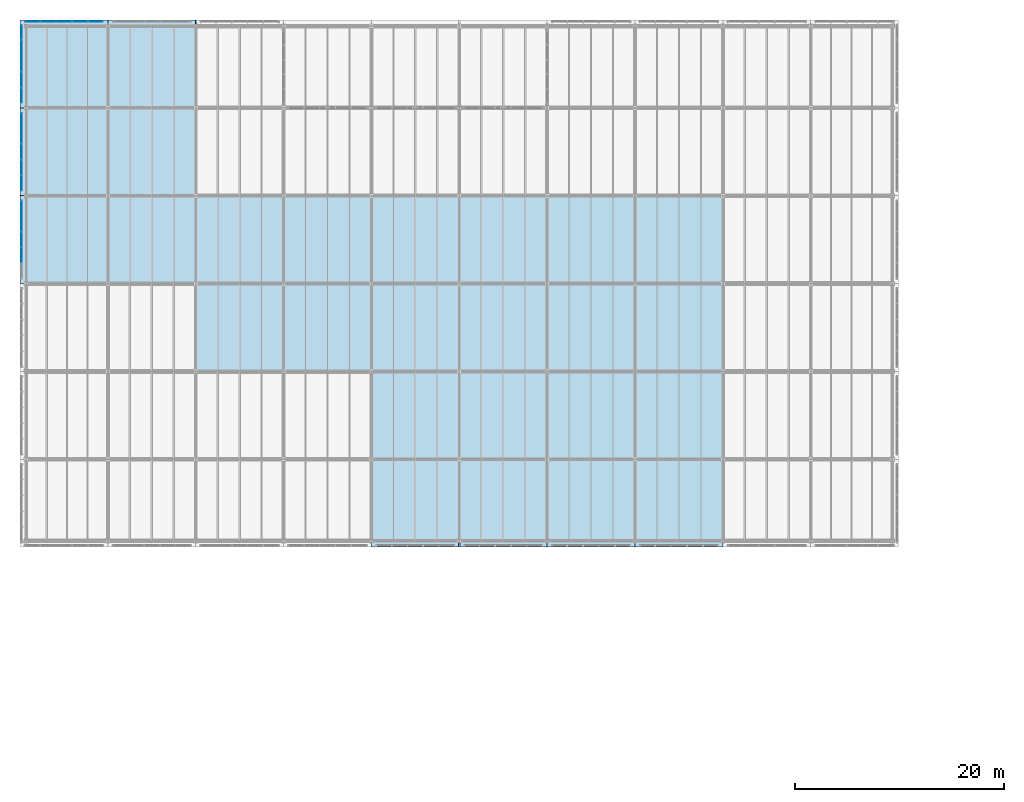
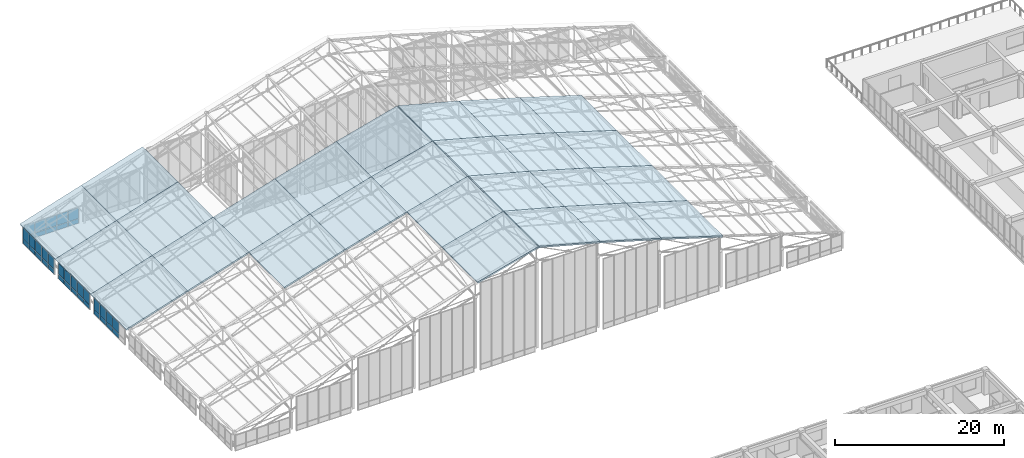
# One storey, part 108 of 144: 38 plates, 26 slabs, 4 elements without a shape of their own.
"""IFC4 building model written with IfcOpenShell, lengths in metres."""

import ifcopenshell
import ifcopenshell.guid

model = None  # the IFC model being written
_history = None  # IfcOwnerHistory: only IFC2X3 demands one
_inside = {}  # id of a spatial element -> (the spatial element, [elements in it])
_under = {}  # id of a project, library or spatial element -> (it, [spatial elements below it])
_declared = {}  # id of a project -> (the project, [libraries it declares])
_typed = {}  # id of a type object -> (the type object, [elements of that type])
_made_of = {}  # id of a material, layer set ... -> (it, [elements and type objects made of it])


def new_model(schema):
    """Start an empty IFC model of exactly this schema.

    Asked for "IFC4X3", IfcOpenShell would pick the latest addendum, in which some entities
    have other attributes; the version numbers below select the first issue.
    IFC2X3 requires an IfcOwnerHistory on every rooted entity: one is made here for all.
    """
    global model, _history
    if schema == "IFC4X3":
        model = ifcopenshell.file(schema_version=(4, 3, 0, 0))
    else:
        model = ifcopenshell.file(schema=schema)
    _inside.clear()
    _under.clear()
    _declared.clear()
    _typed.clear()
    _made_of.clear()
    _history = None
    if model.schema == "IFC2X3":
        org = make("IfcOrganization", Name="unknown")
        user = make(
            "IfcPersonAndOrganization",
            ThePerson=make("IfcPerson", FamilyName="unknown"),
            TheOrganization=org,
        )
        app = make(
            "IfcApplication",
            ApplicationDeveloper=org,
            Version="unknown",
            ApplicationFullName="unknown",
            ApplicationIdentifier="unknown",
        )
        _history = make(
            "IfcOwnerHistory",
            OwningUser=user,
            OwningApplication=app,
            ChangeAction="ADDED",
            CreationDate=0,
        )
    return model


def make(cls, **values):
    """One entity of the class cls with the attributes given. An attribute that is None is left unset."""
    return model.create_entity(
        cls, **{name: value for name, value in values.items() if value is not None}
    )


def rooted(cls, **values):
    """An entity with a GlobalId (a new one), such as an element, a storey or a relation."""
    return make(cls, GlobalId=ifcopenshell.guid.new(), OwnerHistory=_history, **values)


def si_unit(unit_type, name, prefix=None):
    """IfcSIUnit, for example si_unit("LENGTHUNIT", "METRE", prefix="MILLI")."""
    return make("IfcSIUnit", UnitType=unit_type, Prefix=prefix, Name=name)


def assignment(units):
    """IfcUnitAssignment: the units of a project."""
    return None if units is None else make("IfcUnitAssignment", Units=units)


def point(xyz):
    """IfcCartesianPoint."""
    return None if xyz is None else make("IfcCartesianPoint", Coordinates=xyz)


def direction(xyz):
    """IfcDirection."""
    return None if xyz is None else make("IfcDirection", DirectionRatios=xyz)


def frame(location, z_axis=None, x_axis=None):
    """IfcAxis2Placement3D, a coordinate frame: its origin and axes. An axis left out is left unset."""
    return make(
        "IfcAxis2Placement3D",
        Location=point(location),
        Axis=direction(z_axis),
        RefDirection=direction(x_axis),
    )


def frame_2d(location, x_axis=None):
    """IfcAxis2Placement2D, a coordinate frame in the plane: its origin and x axis."""
    return make(
        "IfcAxis2Placement2D", Location=point(location), RefDirection=direction(x_axis)
    )


def origin():
    """The frame at (0, 0, 0) with its axes left unset."""
    return frame((0.0, 0.0, 0.0))


def origin_2d():
    """The frame at (0, 0) in the plane with its x axis left unset."""
    return frame_2d((0.0, 0.0))


def place(relative_to, where):
    """IfcLocalPlacement: puts the frame where relative to a parent placement (None: the world)."""
    return make(
        "IfcLocalPlacement", PlacementRelTo=relative_to, RelativePlacement=where
    )


def context(
    kind, dimensions, precision=None, world=None, true_north=None, identifier=None
):
    """IfcGeometricRepresentationContext, for example the 3D "Model" context."""
    return make(
        "IfcGeometricRepresentationContext",
        ContextIdentifier=identifier,
        ContextType=kind,
        CoordinateSpaceDimension=dimensions,
        Precision=precision,
        WorldCoordinateSystem=world,
        TrueNorth=true_north,
    )


def subcontext(parent, identifier, kind, view, scale=None):
    """IfcGeometricRepresentationSubContext, for example "Body" below "Model"."""
    return make(
        "IfcGeometricRepresentationSubContext",
        ContextIdentifier=identifier,
        ContextType=kind,
        ParentContext=parent,
        TargetScale=scale,
        TargetView=view,
    )


def project(units=None, contexts=None):
    """IfcProject with its units and contexts."""
    return rooted(
        "IfcProject",
        Name="project",
        RepresentationContexts=contexts,
        UnitsInContext=assignment(units),
    )


def spatial(cls, under=None, at=None, **own):
    """A site, building, storey or space (cls), placed at a placement, below another one or the project."""
    s = rooted(cls, ObjectPlacement=at, **own)
    if under is not None:
        _under.setdefault(under.id(), (under, []))[1].append(s)
    return s


def polyline(points):
    """IfcPolyline through the points."""
    return make("IfcPolyline", Points=[point(p) for p in points])


def profile(cls, at=None, kind="AREA", **sizes):
    """A parametric profile (cls). Its sizes go by their IFC names, for example OverallWidth=200.0."""
    return make(cls, ProfileType=kind, Position=at, **sizes)


def rectangle(**sizes):
    """IfcRectangleProfileDef."""
    return profile("IfcRectangleProfileDef", **sizes)


def outline(outer, holes=None, kind="AREA"):
    """IfcArbitraryClosedProfileDef: a profile drawn as a closed curve; with holes, ...WithVoids."""
    if holes is None:
        return make("IfcArbitraryClosedProfileDef", ProfileType=kind, OuterCurve=outer)
    return make(
        "IfcArbitraryProfileDefWithVoids",
        ProfileType=kind,
        OuterCurve=outer,
        InnerCurves=holes,
    )


def extrude(swept, where, along, depth):
    """IfcExtrudedAreaSolid: the profile swept, set in the frame where, extruded along a direction by depth."""
    return make(
        "IfcExtrudedAreaSolid",
        SweptArea=swept,
        Position=where,
        ExtrudedDirection=direction(along),
        Depth=depth,
    )


def shape(context_of_items, identifier, shape_type, items):
    """IfcShapeRepresentation: the items that make up one representation, for example the "Body"."""
    return make(
        "IfcShapeRepresentation",
        ContextOfItems=context_of_items,
        RepresentationIdentifier=identifier,
        RepresentationType=shape_type,
        Items=items,
    )


def material(Name=None, Category=None):
    """IfcMaterial."""
    return make("IfcMaterial", Name=Name, Category=Category)


def layer(
    of_material, thickness, ventilated=None, Name=None, Category=None, Priority=None
):
    """IfcMaterialLayer: one layer of a wall or slab, of a material (None: an air gap)."""
    return make(
        "IfcMaterialLayer",
        Material=of_material,
        LayerThickness=thickness,
        IsVentilated=ventilated,
        Name=Name,
        Category=Category,
        Priority=Priority,
    )


def layer_set(layers, Name=None):
    """IfcMaterialLayerSet."""
    return make("IfcMaterialLayerSet", MaterialLayers=layers, LayerSetName=Name)


def made_of(thing, what):
    """Note that an element or type object is made of a material, layer set ...; save() writes the relation."""
    if what is not None:
        _made_of.setdefault(what.id(), (what, []))[1].append(thing)
    return thing


def type_object(cls, material=None, **own):
    """A type object (cls), such as IfcWallType, which elements share."""
    return made_of(rooted(cls, **own), material)


def element(
    cls,
    number,
    at=None,
    inside=None,
    cuts=None,
    type_object=None,
    material=None,
    context=None,
    identifier="Body",
    shape_type=None,
    held_by="IfcProductDefinitionShape",
    body=None,
    shapes=None,
    **own,
):
    """One element of the class cls, such as IfcWall. Its Tag is "e" and its number.

    at: its placement. inside: the storey or other place that contains it. cuts: it is an
    opening in that element (IfcRelVoidsElement). A single representation is given by context,
    identifier, shape_type and body (its items); several are given by shapes. held_by: the class
    of the entity that holds the representations. save() writes the other relations.
    """
    e = rooted(cls, Tag="e%d" % number, ObjectPlacement=at, **own)
    if body is not None:
        shapes = [shape(context, identifier, shape_type, body)]
    if shapes is not None:
        e.Representation = make(held_by, Representations=shapes)
    if inside is not None:
        _inside.setdefault(inside.id(), (inside, []))[1].append(e)
    if cuts is not None:
        rooted(
            "IfcRelVoidsElement", RelatingBuildingElement=cuts, RelatedOpeningElement=e
        )
    if type_object is not None:
        _typed.setdefault(type_object.id(), (type_object, []))[1].append(e)
    return made_of(e, material)


def aggregate(whole, parts):
    """IfcRelAggregates: a whole, such as a stair, and the parts it consists of."""
    return rooted("IfcRelAggregates", RelatingObject=whole, RelatedObjects=parts)


def save(model, path):
    """Write the relations noted so far, then the file.

    IfcRelAggregates (storeys below a building ...), IfcRelContainedInSpatialStructure (elements
    in a storey), IfcRelDefinesByType, IfcRelAssociatesMaterial and IfcRelDeclares: one each for
    every whole, place, type object, material and project.
    """
    for whole, parts in _under.values():
        aggregate(whole, parts)
    for where, things in _inside.values():
        rooted(
            "IfcRelContainedInSpatialStructure",
            RelatedElements=things,
            RelatingStructure=where,
        )
    for kind, things in _typed.values():
        rooted("IfcRelDefinesByType", RelatedObjects=things, RelatingType=kind)
    for what, things in _made_of.values():
        rooted("IfcRelAssociatesMaterial", RelatedObjects=things, RelatingMaterial=what)
    for by, libraries in _declared.values():
        rooted("IfcRelDeclares", RelatingContext=by, RelatedDefinitions=libraries)
    model.write(path)


model = new_model("IFC4")

# Units and contexts
model_context = context("Model", 3, precision=1e-05, world=origin(), true_north=direction((0.0, 1.0)))
body_context = subcontext(model_context, "Body", "Model", "MODEL_VIEW")
ifc_project = project(units=[si_unit("LENGTHUNIT", "METRE"), si_unit("AREAUNIT", "SQUARE_METRE"), si_unit("VOLUMEUNIT", "CUBIC_METRE"), si_unit("PLANEANGLEUNIT", "RADIAN"), si_unit("MASSUNIT", "GRAM", prefix="KILO")], contexts=[model_context])

# Site, building, storey
site_placement = place(None, origin())
site = spatial("IfcSite", under=ifc_project, at=site_placement, CompositionType="ELEMENT")
building_placement = place(site_placement, origin())
building = spatial("IfcBuilding", under=site, at=building_placement, Name="Zayran Congress Hotel", CompositionType="ELEMENT")
storey_placement = place(building_placement, frame((0.0, 0.0, 19.199951171875)))
storey = spatial("IfcBuildingStorey", under=building, at=storey_placement, Name="L04", CompositionType="ELEMENT", Elevation=19.199951171875)

# Slabs
ifc_material_1 = material(Name="Concrete C32/40", Category="concrete")
ifc_layer_1 = layer(ifc_material_1, 0.219970703125)
ifc_layer_set_1 = layer_set([ifc_layer_1], Name="Concrete C32/40")
slab_type = type_object("IfcSlabType", Name="SL-RF-220", PredefinedType="ROOF", material=ifc_layer_set_1)
slab_1_placement = place(storey_placement, frame((8.39990234375, 92.800048828125, 2.400146484375), z_axis=(-0.300844824691, 0.0, 0.953673105134), x_axis=(0.953673105134, 0.0, 0.300844824691)))
element("IfcSlab", 1, at=slab_1_placement, inside=storey, type_object=slab_type, Name="V1 Vaulted Roof Facet 1-4", PredefinedType="ROOF", context=body_context, shape_type="SweptSolid", body=[
    extrude(outline(polyline([(0.0, 0.0), (8.808203187391252, 0.0), (8.808203187391252, 8.39990234375), (0.0, 8.39990234375), (0.0, 0.0)])), origin(), (0.0, 0.0, -1.0), 0.219970703125),
])
slab_2_placement = place(storey_placement, frame((8.39990234375, 101.199951171875, 2.400146484375), z_axis=(-0.300844824691, 0.0, 0.953673105134), x_axis=(0.953673105134, 0.0, 0.300844824691)))
element("IfcSlab", 2, at=slab_2_placement, inside=storey, type_object=slab_type, Name="V1 Vaulted Roof Facet 1-5", PredefinedType="ROOF", context=body_context, shape_type="SweptSolid", body=[
    extrude(outline(polyline([(0.0, 0.0), (8.808203187391252, 0.0), (8.808203187391252, 8.400146484375002), (0.0, 8.400146484375002), (0.0, 0.0)])), origin(), (0.0, 0.0, -1.0), 0.219970703125),
])
slab_3_placement = place(storey_placement, frame((8.39990234375, 109.60009765625, 2.400146484375), z_axis=(-0.300844824691, 0.0, 0.953673105134), x_axis=(0.953673105134, 0.0, 0.300844824691)))
element("IfcSlab", 3, at=slab_3_placement, inside=storey, type_object=slab_type, Name="V1 Vaulted Roof Facet 1-6", PredefinedType="ROOF", context=body_context, shape_type="SweptSolid", body=[
    extrude(outline(polyline([(0.0, 0.0), (8.808203187391252, 0.0), (8.808203187391252, 8.39990234375), (0.0, 8.39990234375), (0.0, 0.0)])), origin(), (0.0, 0.0, -1.0), 0.219970703125),
])
slab_4_placement = place(storey_placement, frame((16.800048828125, 92.800048828125, 5.050048828125), z_axis=(-0.300852777228, 0.0, 0.953670596398), x_axis=(0.953670596398, 0.0, 0.300852777228)))
element("IfcSlab", 4, at=slab_4_placement, inside=storey, type_object=slab_type, Name="V1 Vaulted Roof Facet 2-4", PredefinedType="ROOF", context=body_context, shape_type="SweptSolid", body=[
    extrude(outline(polyline([(0.0, 0.0), (8.807970357349557, 0.0), (8.807970357349557, 8.39990234375), (0.0, 8.39990234375), (0.0, 0.0)])), origin(), (0.0, 0.0, -1.0), 0.219970703125),
])
slab_5_placement = place(storey_placement, frame((16.800048828125, 101.199951171875, 5.050048828125), z_axis=(-0.300852777228, 0.0, 0.953670596398), x_axis=(0.953670596398, 0.0, 0.300852777228)))
element("IfcSlab", 5, at=slab_5_placement, inside=storey, type_object=slab_type, Name="V1 Vaulted Roof Facet 2-5", PredefinedType="ROOF", context=body_context, shape_type="SweptSolid", body=[
    extrude(outline(polyline([(0.0, 0.0), (8.807970357349557, 0.0), (8.807970357349557, 8.400146484375), (0.0, 8.400146484375), (0.0, 0.0)])), origin(), (0.0, 0.0, -1.0), 0.219970703125),
])
slab_6_placement = place(storey_placement, frame((16.800048828125, 109.60009765625, 5.050048828125), z_axis=(-0.300852777228, 0.0, 0.953670596398), x_axis=(0.953670596398, 0.0, 0.300852777228)))
element("IfcSlab", 6, at=slab_6_placement, inside=storey, type_object=slab_type, Name="V1 Vaulted Roof Facet 2-6", PredefinedType="ROOF", context=body_context, shape_type="SweptSolid", body=[
    extrude(outline(polyline([(0.0, 0.0), (8.807970357349557, 0.0), (8.807970357349557, 8.39990234375), (0.0, 8.39990234375), (0.0, 0.0)])), origin(), (0.0, 0.0, -1.0), 0.219970703125),
])
slab_7_placement = place(storey_placement, frame((25.199951171875, 84.39990234375, 7.699951171875), z_axis=(-0.29568915739, 0.0, 0.955284210171), x_axis=(0.955284210171, 0.0, 0.29568915739)))
element("IfcSlab", 7, at=slab_7_placement, inside=storey, type_object=slab_type, Name="V1 Vaulted Roof Facet 3-3", PredefinedType="ROOF", context=body_context, shape_type="SweptSolid", body=[
    extrude(outline(polyline([(0.0, 0.0), (8.793347984754979, 0.0), (8.793347984754979, 8.400146484375), (0.0, 8.400146484375), (0.0, 0.0)])), origin(), (0.0, 0.0, -1.0), 0.219970703125),
])
slab_8_placement = place(storey_placement, frame((25.199951171875, 92.800048828125, 7.699951171875), z_axis=(-0.29568915739, 0.0, 0.955284210171), x_axis=(0.955284210171, 0.0, 0.29568915739)))
element("IfcSlab", 8, at=slab_8_placement, inside=storey, type_object=slab_type, Name="V1 Vaulted Roof Facet 3-4", PredefinedType="ROOF", context=body_context, shape_type="SweptSolid", body=[
    extrude(outline(polyline([(0.0, 0.0), (8.793347984754979, 0.0), (8.793347984754979, 8.39990234375), (0.0, 8.39990234375), (0.0, 0.0)])), origin(), (0.0, 0.0, -1.0), 0.219970703125),
])
slab_9_placement = place(storey_placement, frame((33.60009765625, 84.39990234375, 10.300048828125), z_axis=(-0.279997857116, 0.0, 0.960000625005), x_axis=(0.960000625005, 0.0, 0.279997857116)))
element("IfcSlab", 9, at=slab_9_placement, inside=storey, type_object=slab_type, Name="V1 Vaulted Roof Facet 4-3", PredefinedType="ROOF", context=body_context, shape_type="SweptSolid", body=[
    extrude(outline(polyline([(0.0, 0.0), (8.749892578146799, 0.0), (8.749892578146799, 8.400146484375), (0.0, 8.400146484375), (0.0, 0.0)])), origin(), (0.0, 0.0, -1.0), 0.219970703125),
])
slab_10_placement = place(storey_placement, frame((33.60009765625, 92.800048828125, 10.300048828125), z_axis=(-0.279997857116, 0.0, 0.960000625005), x_axis=(0.960000625005, 0.0, 0.279997857116)))
element("IfcSlab", 10, at=slab_10_placement, inside=storey, type_object=slab_type, Name="V1 Vaulted Roof Facet 4-4", PredefinedType="ROOF", context=body_context, shape_type="SweptSolid", body=[
    extrude(outline(polyline([(0.0, 0.0), (8.749892578146799, 0.0), (8.749892578146799, 8.399902343750002), (0.0, 8.399902343750002), (0.0, 0.0)])), origin(), (0.0, 0.0, -1.0), 0.219970703125),
])
for number, where, z_axis, x_axis, name in (
    (11, (42.0, 67.60009765625, 12.75), (-0.258745513625, 0.0, 0.965945525989), (0.965945525989, 0.0, 0.258745513625), "V1 Vaulted Roof Facet 5-1"),
    (12, (42.0, 76.0, 12.75), (-0.258745513625, 0.0, 0.965945525989), (0.965945525989, 0.0, 0.258745513625), "V1 Vaulted Roof Facet 5-2"),
):
    element("IfcSlab", number, at=place(storey_placement, frame(where, z_axis=z_axis, x_axis=x_axis)), inside=storey, type_object=slab_type, Name=name, PredefinedType="ROOF", context=body_context, shape_type="SweptSolid", body=[
        extrude(outline(polyline([(0.0, 0.0), (8.628810541840496, 0.0), (8.628810541840496, 8.39990234375), (0.0, 8.39990234375), (0.0, 0.0)])), origin(), (0.0, 0.0, -1.0), 0.219970703125),
    ])
slab_11_placement = place(storey_placement, frame((42.0, 84.39990234375, 12.75), z_axis=(-0.258745513625, 0.0, 0.965945525989), x_axis=(0.965945525989, 0.0, 0.258745513625)))
element("IfcSlab", 13, at=slab_11_placement, inside=storey, type_object=slab_type, Name="V1 Vaulted Roof Facet 5-3", PredefinedType="ROOF", context=body_context, shape_type="SweptSolid", body=[
    extrude(outline(polyline([(0.0, 0.0), (8.628810541840496, 0.0), (8.628810541840496, 8.400146484375), (0.0, 8.400146484375), (0.0, 0.0)])), origin(), (0.0, 0.0, -1.0), 0.219970703125),
])
for number, where, z_axis, x_axis, name in (
    (14, (42.0, 92.800048828125, 12.75), (-0.258745513625, 0.0, 0.965945525989), (0.965945525989, 0.0, 0.258745513625), "V1 Vaulted Roof Facet 5-4"),
    (15, (50.465087890625, 67.60009765625, 14.982666015625), (0.258745513625, 0.0, 0.965945525989), (0.965945525989, 0.0, -0.258745513625), "V1 Vaulted Roof Facet 6-1"),
    (16, (50.465087890625, 76.0, 14.982666015625), (0.258745513625, 0.0, 0.965945525989), (0.965945525989, 0.0, -0.258745513625), "V1 Vaulted Roof Facet 6-2"),
):
    element("IfcSlab", number, at=place(storey_placement, frame(where, z_axis=z_axis, x_axis=x_axis)), inside=storey, type_object=slab_type, Name=name, PredefinedType="ROOF", context=body_context, shape_type="SweptSolid", body=[
        extrude(outline(polyline([(0.0, 0.0), (8.628810541840496, 0.0), (8.628810541840496, 8.39990234375), (0.0, 8.39990234375), (0.0, 0.0)])), origin(), (0.0, 0.0, -1.0), 0.219970703125),
    ])
slab_12_placement = place(storey_placement, frame((50.465087890625, 84.39990234375, 14.982666015625), z_axis=(0.258745513625, 0.0, 0.965945525989), x_axis=(0.965945525989, 0.0, -0.258745513625)))
element("IfcSlab", 17, at=slab_12_placement, inside=storey, type_object=slab_type, Name="V1 Vaulted Roof Facet 6-3", PredefinedType="ROOF", context=body_context, shape_type="SweptSolid", body=[
    extrude(outline(polyline([(0.0, 0.0), (8.628810541840496, 0.0), (8.628810541840496, 8.400146484375), (0.0, 8.400146484375), (0.0, 0.0)])), origin(), (0.0, 0.0, -1.0), 0.219970703125),
])
slab_13_placement = place(storey_placement, frame((50.465087890625, 92.800048828125, 14.982666015625), z_axis=(0.258745513625, 0.0, 0.965945525989), x_axis=(0.965945525989, 0.0, -0.258745513625)))
element("IfcSlab", 18, at=slab_13_placement, inside=storey, type_object=slab_type, Name="V1 Vaulted Roof Facet 6-4", PredefinedType="ROOF", context=body_context, shape_type="SweptSolid", body=[
    extrude(outline(polyline([(0.0, 0.0), (8.628810541840496, 0.0), (8.628810541840496, 8.39990234375), (0.0, 8.39990234375), (0.0, 0.0)])), origin(), (0.0, 0.0, -1.0), 0.219970703125),
])
for number, where, z_axis, x_axis, name in (
    (19, (58.800048828125, 67.60009765625, 12.75), (0.279997857116, 0.0, 0.960000625005), (0.960000625005, 0.0, -0.279997857116), "V1 Vaulted Roof Facet 7-1"),
    (20, (58.800048828125, 76.0, 12.75), (0.279997857116, 0.0, 0.960000625005), (0.960000625005, 0.0, -0.279997857116), "V1 Vaulted Roof Facet 7-2"),
):
    element("IfcSlab", number, at=place(storey_placement, frame(where, z_axis=z_axis, x_axis=x_axis)), inside=storey, type_object=slab_type, Name=name, PredefinedType="ROOF", context=body_context, shape_type="SweptSolid", body=[
        extrude(outline(polyline([(0.0, 0.0), (8.749892578146799, 0.0), (8.749892578146799, 8.399902343750002), (0.0, 8.399902343750002), (0.0, 0.0)])), origin(), (0.0, 0.0, -1.0), 0.219970703125),
    ])
slab_14_placement = place(storey_placement, frame((58.800048828125, 84.39990234375, 12.75), z_axis=(0.279997857116, 0.0, 0.960000625005), x_axis=(0.960000625005, 0.0, -0.279997857116)))
element("IfcSlab", 21, at=slab_14_placement, inside=storey, type_object=slab_type, Name="V1 Vaulted Roof Facet 7-3", PredefinedType="ROOF", context=body_context, shape_type="SweptSolid", body=[
    extrude(outline(polyline([(0.0, 0.0), (8.749892578146799, 0.0), (8.749892578146799, 8.400146484375), (0.0, 8.400146484375), (0.0, 0.0)])), origin(), (0.0, 0.0, -1.0), 0.219970703125),
])
slab_15_placement = place(storey_placement, frame((58.800048828125, 92.800048828125, 12.75), z_axis=(0.279997857116, 0.0, 0.960000625005), x_axis=(0.960000625005, 0.0, -0.279997857116)))
element("IfcSlab", 22, at=slab_15_placement, inside=storey, type_object=slab_type, Name="V1 Vaulted Roof Facet 7-4", PredefinedType="ROOF", context=body_context, shape_type="SweptSolid", body=[
    extrude(outline(polyline([(0.0, 0.0), (8.749892578146799, 0.0), (8.749892578146799, 8.399902343750002), (0.0, 8.399902343750002), (0.0, 0.0)])), origin(), (0.0, 0.0, -1.0), 0.219970703125),
])
for number, where, z_axis, x_axis, name in (
    (23, (67.199951171875, 67.60009765625, 10.300048828125), (0.29568915739, 0.0, 0.955284210171), (0.955284210171, 0.0, -0.29568915739), "V1 Vaulted Roof Facet 8-1"),
    (24, (67.199951171875, 76.0, 10.300048828125), (0.29568915739, 0.0, 0.955284210171), (0.955284210171, 0.0, -0.29568915739), "V1 Vaulted Roof Facet 8-2"),
):
    element("IfcSlab", number, at=place(storey_placement, frame(where, z_axis=z_axis, x_axis=x_axis)), inside=storey, type_object=slab_type, Name=name, PredefinedType="ROOF", context=body_context, shape_type="SweptSolid", body=[
        extrude(outline(polyline([(0.0, 0.0), (8.793347984754979, 0.0), (8.793347984754979, 8.39990234375), (0.0, 8.39990234375), (0.0, 0.0)])), origin(), (0.0, 0.0, -1.0), 0.219970703125),
    ])
slab_16_placement = place(storey_placement, frame((67.199951171875, 84.39990234375, 10.300048828125), z_axis=(0.29568915739, 0.0, 0.955284210171), x_axis=(0.955284210171, 0.0, -0.29568915739)))
element("IfcSlab", 25, at=slab_16_placement, inside=storey, type_object=slab_type, Name="V1 Vaulted Roof Facet 8-3", PredefinedType="ROOF", context=body_context, shape_type="SweptSolid", body=[
    extrude(outline(polyline([(0.0, 0.0), (8.793347984754979, 0.0), (8.793347984754979, 8.400146484375), (0.0, 8.400146484375), (0.0, 0.0)])), origin(), (0.0, 0.0, -1.0), 0.219970703125),
])
slab_17_placement = place(storey_placement, frame((67.199951171875, 92.800048828125, 10.300048828125), z_axis=(0.29568915739, 0.0, 0.955284210171), x_axis=(0.955284210171, 0.0, -0.29568915739)))
element("IfcSlab", 26, at=slab_17_placement, inside=storey, type_object=slab_type, Name="V1 Vaulted Roof Facet 8-4", PredefinedType="ROOF", context=body_context, shape_type="SweptSolid", body=[
    extrude(outline(polyline([(0.0, 0.0), (8.793347984754979, 0.0), (8.793347984754979, 8.39990234375), (0.0, 8.39990234375), (0.0, 0.0)])), origin(), (0.0, 0.0, -1.0), 0.219970703125),
])

# Curtain wall, plates
ifc_material_2 = material(Name="Anodised aluminium and low-E insulated glass", Category="aluminium")
ifc_layer_2 = layer(ifc_material_2, 0.179931640625)
ifc_layer_set_2 = layer_set([ifc_layer_2], Name="Anodised aluminium and low-E insulated glass")
curtain_wall_type_1 = type_object("IfcCurtainWallType", Name="CW-V1CL-L04-CW-31-7560-2370", PredefinedType="USERDEFINED", material=ifc_layer_set_2)
curtain_wall_1_placement = place(storey_placement, origin())
curtain_wall_1 = element("IfcCurtainWall", 27, at=curtain_wall_1_placement, inside=storey, type_object=curtain_wall_type_1, Name="CW-V1CLW-3", ObjectType="CURTAIN WALL", PredefinedType="USERDEFINED")
ifc_material_3 = material(Name="Insulated warm bronze aluminium spandrel panel", Category="aluminium")
ifc_layer_3 = layer(ifc_material_3, 0.06005859375)
ifc_layer_set_3 = layer_set([ifc_layer_3], Name="Insulated warm bronze aluminium spandrel panel")
plate_type_1 = type_object("IfcPlateType", Name="CWP-SP-1392-630", PredefinedType="CURTAIN_PANEL", material=ifc_layer_set_3)
plate_1_placement = place(storey_placement, frame((8.550048828125, 100.00390625, -0.159912109375), z_axis=(0.0, 0.0, 1.0), x_axis=(0.0, 1.0, 0.0)))
plate_1 = element("IfcPlate", 28, at=plate_1_placement, type_object=plate_type_1, Name="CW-31 Spandrel Panel 1", PredefinedType="CURTAIN_PANEL", context=body_context, shape_type="SweptSolid", body=[
    extrude(rectangle(XDim=1.39208984375, YDim=0.06005859375, at=origin_2d()), origin(), (0.0, 0.0, 1.0), 0.6298828125),
])
plate_2_placement = place(storey_placement, frame((8.550048828125, 98.511962890625, -0.159912109375), z_axis=(0.0, 0.0, 1.0), x_axis=(0.0, 1.0, 0.0)))
plate_2 = element("IfcPlate", 29, at=plate_2_placement, type_object=plate_type_1, Name="CW-31 Spandrel Panel 2", PredefinedType="CURTAIN_PANEL", context=body_context, shape_type="SweptSolid", body=[
    extrude(rectangle(XDim=1.431884765625, YDim=0.06005859375, at=origin_2d()), origin(), (0.0, 0.0, 1.0), 0.6298828125),
])
plate_3_placement = place(storey_placement, frame((8.550048828125, 97.0, -0.159912109375), z_axis=(0.0, 0.0, 1.0), x_axis=(0.0, 1.0, 0.0)))
plate_3 = element("IfcPlate", 30, at=plate_3_placement, type_object=plate_type_1, Name="CW-31 Spandrel Panel 3", PredefinedType="CURTAIN_PANEL", context=body_context, shape_type="SweptSolid", body=[
    extrude(rectangle(XDim=1.431884765625, YDim=0.06005859375, at=origin_2d()), origin(), (0.0, 0.0, 1.0), 0.6298828125),
])
plate_4_placement = place(storey_placement, frame((8.550048828125, 95.488037109375, -0.159912109375), z_axis=(0.0, 0.0, 1.0), x_axis=(0.0, 1.0, 0.0)))
plate_4 = element("IfcPlate", 31, at=plate_4_placement, type_object=plate_type_1, Name="CW-31 Spandrel Panel 4", PredefinedType="CURTAIN_PANEL", context=body_context, shape_type="SweptSolid", body=[
    extrude(rectangle(XDim=1.431884765625, YDim=0.06005859375, at=origin_2d()), origin(), (0.0, 0.0, 1.0), 0.6298828125),
])

curtain_wall_2_placement = place(storey_placement, origin())
curtain_wall_2 = element("IfcCurtainWall", 32, at=curtain_wall_2_placement, inside=storey, type_object=curtain_wall_type_1, Name="CW-V1CLW-4", ObjectType="CURTAIN WALL", PredefinedType="USERDEFINED")
plate_5_placement = place(storey_placement, frame((8.550048828125, 108.404052734375, -0.159912109375), z_axis=(0.0, 0.0, 1.0), x_axis=(0.0, 1.0, 0.0)))
plate_5 = element("IfcPlate", 33, at=plate_5_placement, type_object=plate_type_1, Name="CW-31 Spandrel Panel 1", PredefinedType="CURTAIN_PANEL", context=body_context, shape_type="SweptSolid", body=[
    extrude(rectangle(XDim=1.39208984375, YDim=0.06005859375, at=origin_2d()), origin(), (0.0, 0.0, 1.0), 0.6298828125),
])
plate_6_placement = place(storey_placement, frame((8.550048828125, 106.912109375, -0.159912109375), z_axis=(0.0, 0.0, 1.0), x_axis=(0.0, 1.0, 0.0)))
plate_6 = element("IfcPlate", 34, at=plate_6_placement, type_object=plate_type_1, Name="CW-31 Spandrel Panel 2", PredefinedType="CURTAIN_PANEL", context=body_context, shape_type="SweptSolid", body=[
    extrude(rectangle(XDim=1.431884765625, YDim=0.06005859375, at=origin_2d()), origin(), (0.0, 0.0, 1.0), 0.6298828125),
])
plate_7_placement = place(storey_placement, frame((8.550048828125, 105.39990234375, -0.159912109375), z_axis=(0.0, 0.0, 1.0), x_axis=(0.0, 1.0, 0.0)))
plate_7 = element("IfcPlate", 35, at=plate_7_placement, type_object=plate_type_1, Name="CW-31 Spandrel Panel 3", PredefinedType="CURTAIN_PANEL", context=body_context, shape_type="SweptSolid", body=[
    extrude(rectangle(XDim=1.431884765625, YDim=0.06005859375, at=origin_2d()), origin(), (0.0, 0.0, 1.0), 0.6298828125),
])
plate_8_placement = place(storey_placement, frame((8.550048828125, 103.887939453125, -0.159912109375), z_axis=(0.0, 0.0, 1.0), x_axis=(0.0, 1.0, 0.0)))
plate_8 = element("IfcPlate", 36, at=plate_8_placement, type_object=plate_type_1, Name="CW-31 Spandrel Panel 4", PredefinedType="CURTAIN_PANEL", context=body_context, shape_type="SweptSolid", body=[
    extrude(rectangle(XDim=1.431884765625, YDim=0.06005859375, at=origin_2d()), origin(), (0.0, 0.0, 1.0), 0.6298828125),
])
plate_9_placement = place(storey_placement, frame((8.550048828125, 102.39599609375, -0.159912109375), z_axis=(0.0, 0.0, 1.0), x_axis=(0.0, 1.0, 0.0)))
plate_9 = element("IfcPlate", 37, at=plate_9_placement, type_object=plate_type_1, Name="CW-31 Spandrel Panel 5", PredefinedType="CURTAIN_PANEL", context=body_context, shape_type="SweptSolid", body=[
    extrude(rectangle(XDim=1.39208984375, YDim=0.06005859375, at=origin_2d()), origin(), (0.0, 0.0, 1.0), 0.6298828125),
])

curtain_wall_3_placement = place(storey_placement, origin())
curtain_wall_3 = element("IfcCurtainWall", 38, at=curtain_wall_3_placement, inside=storey, type_object=curtain_wall_type_1, Name="CW-V1CLW-5", ObjectType="CURTAIN WALL", PredefinedType="USERDEFINED")
plate_10_placement = place(storey_placement, frame((8.550048828125, 116.803955078125, -0.159912109375), z_axis=(0.0, 0.0, 1.0), x_axis=(0.0, 1.0, 0.0)))
plate_10 = element("IfcPlate", 39, at=plate_10_placement, type_object=plate_type_1, Name="CW-31 Spandrel Panel 1", PredefinedType="CURTAIN_PANEL", context=body_context, shape_type="SweptSolid", body=[
    extrude(rectangle(XDim=1.39208984375, YDim=0.06005859375, at=origin_2d()), origin(), (0.0, 0.0, 1.0), 0.6298828125),
])
plate_11_placement = place(storey_placement, frame((8.550048828125, 115.31201171875, -0.159912109375), z_axis=(0.0, 0.0, 1.0), x_axis=(0.0, 1.0, 0.0)))
plate_11 = element("IfcPlate", 40, at=plate_11_placement, type_object=plate_type_1, Name="CW-31 Spandrel Panel 2", PredefinedType="CURTAIN_PANEL", context=body_context, shape_type="SweptSolid", body=[
    extrude(rectangle(XDim=1.431884765625, YDim=0.06005859375, at=origin_2d()), origin(), (0.0, 0.0, 1.0), 0.6298828125),
])
plate_12_placement = place(storey_placement, frame((8.550048828125, 113.800048828125, -0.159912109375), z_axis=(0.0, 0.0, 1.0), x_axis=(0.0, 1.0, 0.0)))
plate_12 = element("IfcPlate", 41, at=plate_12_placement, type_object=plate_type_1, Name="CW-31 Spandrel Panel 3", PredefinedType="CURTAIN_PANEL", context=body_context, shape_type="SweptSolid", body=[
    extrude(rectangle(XDim=1.431884765625, YDim=0.06005859375, at=origin_2d()), origin(), (0.0, 0.0, 1.0), 0.6298828125),
])
plate_13_placement = place(storey_placement, frame((8.550048828125, 112.2880859375, -0.159912109375), z_axis=(0.0, 0.0, 1.0), x_axis=(0.0, 1.0, 0.0)))
plate_13 = element("IfcPlate", 42, at=plate_13_placement, type_object=plate_type_1, Name="CW-31 Spandrel Panel 4", PredefinedType="CURTAIN_PANEL", context=body_context, shape_type="SweptSolid", body=[
    extrude(rectangle(XDim=1.431884765625, YDim=0.06005859375, at=origin_2d()), origin(), (0.0, 0.0, 1.0), 0.6298828125),
])
plate_14_placement = place(storey_placement, frame((8.550048828125, 110.7958984375, -0.159912109375), z_axis=(0.0, 0.0, 1.0), x_axis=(0.0, 1.0, 0.0)))
plate_14 = element("IfcPlate", 43, at=plate_14_placement, type_object=plate_type_1, Name="CW-31 Spandrel Panel 5", PredefinedType="CURTAIN_PANEL", context=body_context, shape_type="SweptSolid", body=[
    extrude(rectangle(XDim=1.39208984375, YDim=0.06005859375, at=origin_2d()), origin(), (0.0, 0.0, 1.0), 0.6298828125),
])

ifc_layer_4 = layer(ifc_material_2, 0.179931640625)
ifc_layer_set_4 = layer_set([ifc_layer_4], Name="Anodised aluminium and low-E insulated glass")
curtain_wall_type_2 = type_object("IfcCurtainWallType", Name="CW-V1CL-L04-CW-21-7560-2370", PredefinedType="USERDEFINED", material=ifc_layer_set_4)
curtain_wall_4_placement = place(storey_placement, origin())
curtain_wall_4 = element("IfcCurtainWall", 44, at=curtain_wall_4_placement, inside=storey, type_object=curtain_wall_type_2, Name="CW-V1CLN-0", ObjectType="CURTAIN WALL", PredefinedType="USERDEFINED")
plate_15_placement = place(storey_placement, frame((15.60400390625, 117.85009765625, -0.159912109375), z_axis=(0.0, 0.0, 1.0), x_axis=(1.0, 0.0, 0.0)))
plate_15 = element("IfcPlate", 45, at=plate_15_placement, type_object=plate_type_1, Name="CW-21 Spandrel Panel 1", PredefinedType="CURTAIN_PANEL", context=body_context, shape_type="SweptSolid", body=[
    extrude(rectangle(XDim=1.39208984375, YDim=0.06005859375, at=origin_2d()), origin(), (0.0, 0.0, 1.0), 0.6298828125),
])
plate_16_placement = place(storey_placement, frame((14.112060546875, 117.85009765625, -0.159912109375), z_axis=(0.0, 0.0, 1.0), x_axis=(1.0, 0.0, 0.0)))
plate_16 = element("IfcPlate", 46, at=plate_16_placement, type_object=plate_type_1, Name="CW-21 Spandrel Panel 2", PredefinedType="CURTAIN_PANEL", context=body_context, shape_type="SweptSolid", body=[
    extrude(rectangle(XDim=1.431884765625, YDim=0.06005859375, at=origin_2d()), origin(), (0.0, 0.0, 1.0), 0.6298828125),
])
plate_17_placement = place(storey_placement, frame((12.60009765625, 117.85009765625, -0.159912109375), z_axis=(0.0, 0.0, 1.0), x_axis=(1.0, 0.0, 0.0)))
plate_17 = element("IfcPlate", 47, at=plate_17_placement, type_object=plate_type_1, Name="CW-21 Spandrel Panel 3", PredefinedType="CURTAIN_PANEL", context=body_context, shape_type="SweptSolid", body=[
    extrude(rectangle(XDim=1.431884765625, YDim=0.06005859375, at=origin_2d()), origin(), (0.0, 0.0, 1.0), 0.6298828125),
])
plate_18_placement = place(storey_placement, frame((11.087890625, 117.85009765625, -0.159912109375), z_axis=(0.0, 0.0, 1.0), x_axis=(1.0, 0.0, 0.0)))
plate_18 = element("IfcPlate", 48, at=plate_18_placement, type_object=plate_type_1, Name="CW-21 Spandrel Panel 4", PredefinedType="CURTAIN_PANEL", context=body_context, shape_type="SweptSolid", body=[
    extrude(rectangle(XDim=1.431884765625, YDim=0.06005859375, at=origin_2d()), origin(), (0.0, 0.0, 1.0), 0.6298828125),
])
plate_19_placement = place(storey_placement, frame((9.595947265625, 117.85009765625, -0.159912109375), z_axis=(0.0, 0.0, 1.0), x_axis=(1.0, 0.0, 0.0)))
plate_19 = element("IfcPlate", 49, at=plate_19_placement, type_object=plate_type_1, Name="CW-21 Spandrel Panel 5", PredefinedType="CURTAIN_PANEL", context=body_context, shape_type="SweptSolid", body=[
    extrude(rectangle(XDim=1.39208984375, YDim=0.06005859375, at=origin_2d()), origin(), (0.0, 0.0, 1.0), 0.6298828125),
])

# Plate
ifc_layer_5 = layer(ifc_material_3, 0.06005859375)
ifc_layer_set_5 = layer_set([ifc_layer_5], Name="Insulated warm bronze aluminium spandrel panel")
plate_type_2 = type_object("IfcPlateType", Name="CWP-SP-1392-1560", PredefinedType="CURTAIN_PANEL", material=ifc_layer_set_5)
plate_20_placement = place(storey_placement, frame((8.550048828125, 100.00390625, 0.530029296875), z_axis=(0.0, 0.0, 1.0), x_axis=(0.0, 1.0, 0.0)))
plate_20 = element("IfcPlate", 50, at=plate_20_placement, type_object=plate_type_2, Name="CW-31 Upper Spandrel Panel 1", PredefinedType="CURTAIN_PANEL", context=body_context, shape_type="SweptSolid", body=[
    extrude(rectangle(XDim=1.39208984375, YDim=0.06005859375, at=origin_2d()), origin(), (0.0, 0.0, 1.0), 1.56005859375),
])

plate_21_placement = place(storey_placement, frame((8.550048828125, 98.511962890625, 0.530029296875), z_axis=(0.0, 0.0, 1.0), x_axis=(0.0, 1.0, 0.0)))
plate_21 = element("IfcPlate", 51, at=plate_21_placement, type_object=plate_type_2, Name="CW-31 Upper Spandrel Panel 2", PredefinedType="CURTAIN_PANEL", context=body_context, shape_type="SweptSolid", body=[
    extrude(rectangle(XDim=1.431884765625, YDim=0.06005859375, at=origin_2d()), origin(), (0.0, 0.0, 1.0), 1.56005859375),
])

plate_22_placement = place(storey_placement, frame((8.550048828125, 97.0, 0.530029296875), z_axis=(0.0, 0.0, 1.0), x_axis=(0.0, 1.0, 0.0)))
plate_22 = element("IfcPlate", 52, at=plate_22_placement, type_object=plate_type_2, Name="CW-31 Upper Spandrel Panel 3", PredefinedType="CURTAIN_PANEL", context=body_context, shape_type="SweptSolid", body=[
    extrude(rectangle(XDim=1.431884765625, YDim=0.06005859375, at=origin_2d()), origin(), (0.0, 0.0, 1.0), 1.56005859375),
])

plate_23_placement = place(storey_placement, frame((8.550048828125, 95.488037109375, 0.530029296875), z_axis=(0.0, 0.0, 1.0), x_axis=(0.0, 1.0, 0.0)))
plate_23 = element("IfcPlate", 53, at=plate_23_placement, type_object=plate_type_2, Name="CW-31 Upper Spandrel Panel 4", PredefinedType="CURTAIN_PANEL", context=body_context, shape_type="SweptSolid", body=[
    extrude(rectangle(XDim=1.431884765625, YDim=0.06005859375, at=origin_2d()), origin(), (0.0, 0.0, 1.0), 1.56005859375),
])

aggregate(curtain_wall_1, [plate_1, plate_20, plate_2, plate_21, plate_3, plate_22, plate_4, plate_23])

plate_24_placement = place(storey_placement, frame((8.550048828125, 108.404052734375, 0.530029296875), z_axis=(0.0, 0.0, 1.0), x_axis=(0.0, 1.0, 0.0)))
plate_24 = element("IfcPlate", 54, at=plate_24_placement, type_object=plate_type_2, Name="CW-31 Upper Spandrel Panel 1", PredefinedType="CURTAIN_PANEL", context=body_context, shape_type="SweptSolid", body=[
    extrude(rectangle(XDim=1.39208984375, YDim=0.06005859375, at=origin_2d()), origin(), (0.0, 0.0, 1.0), 1.56005859375),
])

plate_25_placement = place(storey_placement, frame((8.550048828125, 106.912109375, 0.530029296875), z_axis=(0.0, 0.0, 1.0), x_axis=(0.0, 1.0, 0.0)))
plate_25 = element("IfcPlate", 55, at=plate_25_placement, type_object=plate_type_2, Name="CW-31 Upper Spandrel Panel 2", PredefinedType="CURTAIN_PANEL", context=body_context, shape_type="SweptSolid", body=[
    extrude(rectangle(XDim=1.431884765625, YDim=0.06005859375, at=origin_2d()), origin(), (0.0, 0.0, 1.0), 1.56005859375),
])

plate_26_placement = place(storey_placement, frame((8.550048828125, 105.39990234375, 0.530029296875), z_axis=(0.0, 0.0, 1.0), x_axis=(0.0, 1.0, 0.0)))
plate_26 = element("IfcPlate", 56, at=plate_26_placement, type_object=plate_type_2, Name="CW-31 Upper Spandrel Panel 3", PredefinedType="CURTAIN_PANEL", context=body_context, shape_type="SweptSolid", body=[
    extrude(rectangle(XDim=1.431884765625, YDim=0.06005859375, at=origin_2d()), origin(), (0.0, 0.0, 1.0), 1.56005859375),
])

plate_27_placement = place(storey_placement, frame((8.550048828125, 103.887939453125, 0.530029296875), z_axis=(0.0, 0.0, 1.0), x_axis=(0.0, 1.0, 0.0)))
plate_27 = element("IfcPlate", 57, at=plate_27_placement, type_object=plate_type_2, Name="CW-31 Upper Spandrel Panel 4", PredefinedType="CURTAIN_PANEL", context=body_context, shape_type="SweptSolid", body=[
    extrude(rectangle(XDim=1.431884765625, YDim=0.06005859375, at=origin_2d()), origin(), (0.0, 0.0, 1.0), 1.56005859375),
])

plate_28_placement = place(storey_placement, frame((8.550048828125, 102.39599609375, 0.530029296875), z_axis=(0.0, 0.0, 1.0), x_axis=(0.0, 1.0, 0.0)))
plate_28 = element("IfcPlate", 58, at=plate_28_placement, type_object=plate_type_2, Name="CW-31 Upper Spandrel Panel 5", PredefinedType="CURTAIN_PANEL", context=body_context, shape_type="SweptSolid", body=[
    extrude(rectangle(XDim=1.39208984375, YDim=0.06005859375, at=origin_2d()), origin(), (0.0, 0.0, 1.0), 1.56005859375),
])

aggregate(curtain_wall_2, [plate_5, plate_24, plate_6, plate_25, plate_7, plate_26, plate_8, plate_27, plate_9, plate_28])

plate_29_placement = place(storey_placement, frame((8.550048828125, 116.803955078125, 0.530029296875), z_axis=(0.0, 0.0, 1.0), x_axis=(0.0, 1.0, 0.0)))
plate_29 = element("IfcPlate", 59, at=plate_29_placement, type_object=plate_type_2, Name="CW-31 Upper Spandrel Panel 1", PredefinedType="CURTAIN_PANEL", context=body_context, shape_type="SweptSolid", body=[
    extrude(rectangle(XDim=1.39208984375, YDim=0.06005859375, at=origin_2d()), origin(), (0.0, 0.0, 1.0), 1.56005859375),
])

plate_30_placement = place(storey_placement, frame((8.550048828125, 115.31201171875, 0.530029296875), z_axis=(0.0, 0.0, 1.0), x_axis=(0.0, 1.0, 0.0)))
plate_30 = element("IfcPlate", 60, at=plate_30_placement, type_object=plate_type_2, Name="CW-31 Upper Spandrel Panel 2", PredefinedType="CURTAIN_PANEL", context=body_context, shape_type="SweptSolid", body=[
    extrude(rectangle(XDim=1.431884765625, YDim=0.06005859375, at=origin_2d()), origin(), (0.0, 0.0, 1.0), 1.56005859375),
])

plate_31_placement = place(storey_placement, frame((8.550048828125, 113.800048828125, 0.530029296875), z_axis=(0.0, 0.0, 1.0), x_axis=(0.0, 1.0, 0.0)))
plate_31 = element("IfcPlate", 61, at=plate_31_placement, type_object=plate_type_2, Name="CW-31 Upper Spandrel Panel 3", PredefinedType="CURTAIN_PANEL", context=body_context, shape_type="SweptSolid", body=[
    extrude(rectangle(XDim=1.431884765625, YDim=0.06005859375, at=origin_2d()), origin(), (0.0, 0.0, 1.0), 1.56005859375),
])

plate_32_placement = place(storey_placement, frame((8.550048828125, 112.2880859375, 0.530029296875), z_axis=(0.0, 0.0, 1.0), x_axis=(0.0, 1.0, 0.0)))
plate_32 = element("IfcPlate", 62, at=plate_32_placement, type_object=plate_type_2, Name="CW-31 Upper Spandrel Panel 4", PredefinedType="CURTAIN_PANEL", context=body_context, shape_type="SweptSolid", body=[
    extrude(rectangle(XDim=1.431884765625, YDim=0.06005859375, at=origin_2d()), origin(), (0.0, 0.0, 1.0), 1.56005859375),
])

plate_33_placement = place(storey_placement, frame((8.550048828125, 110.7958984375, 0.530029296875), z_axis=(0.0, 0.0, 1.0), x_axis=(0.0, 1.0, 0.0)))
plate_33 = element("IfcPlate", 63, at=plate_33_placement, type_object=plate_type_2, Name="CW-31 Upper Spandrel Panel 5", PredefinedType="CURTAIN_PANEL", context=body_context, shape_type="SweptSolid", body=[
    extrude(rectangle(XDim=1.39208984375, YDim=0.06005859375, at=origin_2d()), origin(), (0.0, 0.0, 1.0), 1.56005859375),
])

aggregate(curtain_wall_3, [plate_10, plate_29, plate_11, plate_30, plate_12, plate_31, plate_13, plate_32, plate_14, plate_33])

plate_34_placement = place(storey_placement, frame((15.60400390625, 117.85009765625, 0.530029296875), z_axis=(0.0, 0.0, 1.0), x_axis=(1.0, 0.0, 0.0)))
plate_34 = element("IfcPlate", 64, at=plate_34_placement, type_object=plate_type_2, Name="CW-21 Upper Spandrel Panel 1", PredefinedType="CURTAIN_PANEL", context=body_context, shape_type="SweptSolid", body=[
    extrude(rectangle(XDim=1.39208984375, YDim=0.06005859375, at=origin_2d()), origin(), (0.0, 0.0, 1.0), 1.56005859375),
])

plate_35_placement = place(storey_placement, frame((14.112060546875, 117.85009765625, 0.530029296875), z_axis=(0.0, 0.0, 1.0), x_axis=(1.0, 0.0, 0.0)))
plate_35 = element("IfcPlate", 65, at=plate_35_placement, type_object=plate_type_2, Name="CW-21 Upper Spandrel Panel 2", PredefinedType="CURTAIN_PANEL", context=body_context, shape_type="SweptSolid", body=[
    extrude(rectangle(XDim=1.431884765625, YDim=0.06005859375, at=origin_2d()), origin(), (0.0, 0.0, 1.0), 1.56005859375),
])

plate_36_placement = place(storey_placement, frame((12.60009765625, 117.85009765625, 0.530029296875), z_axis=(0.0, 0.0, 1.0), x_axis=(1.0, 0.0, 0.0)))
plate_36 = element("IfcPlate", 66, at=plate_36_placement, type_object=plate_type_2, Name="CW-21 Upper Spandrel Panel 3", PredefinedType="CURTAIN_PANEL", context=body_context, shape_type="SweptSolid", body=[
    extrude(rectangle(XDim=1.431884765625, YDim=0.06005859375, at=origin_2d()), origin(), (0.0, 0.0, 1.0), 1.56005859375),
])

plate_37_placement = place(storey_placement, frame((11.087890625, 117.85009765625, 0.530029296875), z_axis=(0.0, 0.0, 1.0), x_axis=(1.0, 0.0, 0.0)))
plate_37 = element("IfcPlate", 67, at=plate_37_placement, type_object=plate_type_2, Name="CW-21 Upper Spandrel Panel 4", PredefinedType="CURTAIN_PANEL", context=body_context, shape_type="SweptSolid", body=[
    extrude(rectangle(XDim=1.431884765625, YDim=0.06005859375, at=origin_2d()), origin(), (0.0, 0.0, 1.0), 1.56005859375),
])

plate_38_placement = place(storey_placement, frame((9.595947265625, 117.85009765625, 0.530029296875), z_axis=(0.0, 0.0, 1.0), x_axis=(1.0, 0.0, 0.0)))
plate_38 = element("IfcPlate", 68, at=plate_38_placement, type_object=plate_type_2, Name="CW-21 Upper Spandrel Panel 5", PredefinedType="CURTAIN_PANEL", context=body_context, shape_type="SweptSolid", body=[
    extrude(rectangle(XDim=1.39208984375, YDim=0.06005859375, at=origin_2d()), origin(), (0.0, 0.0, 1.0), 1.56005859375),
])

aggregate(curtain_wall_4, [plate_15, plate_34, plate_16, plate_35, plate_17, plate_36, plate_18, plate_37, plate_19, plate_38])

save(model, "model.ifc")
